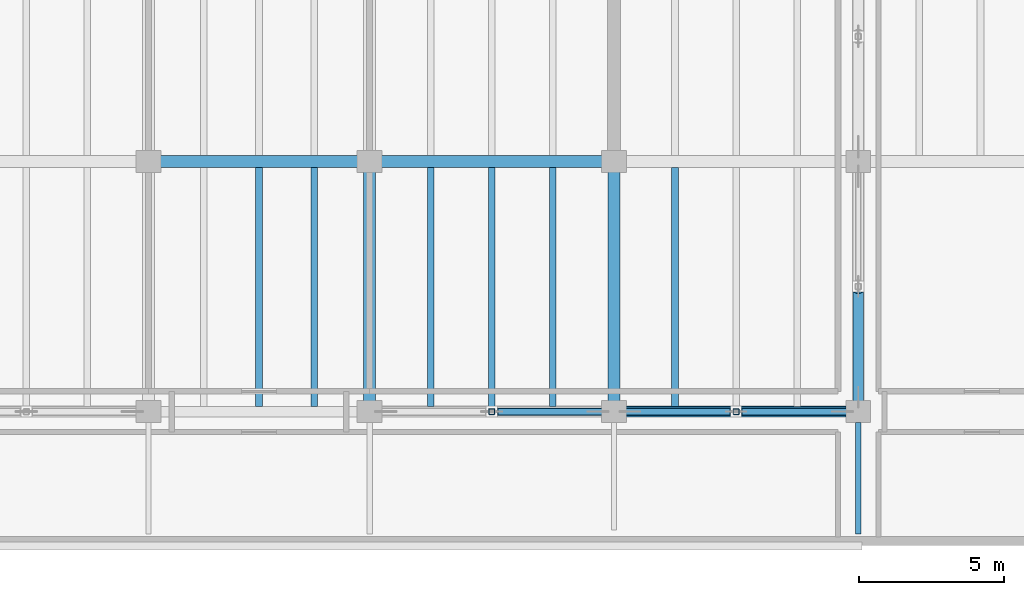
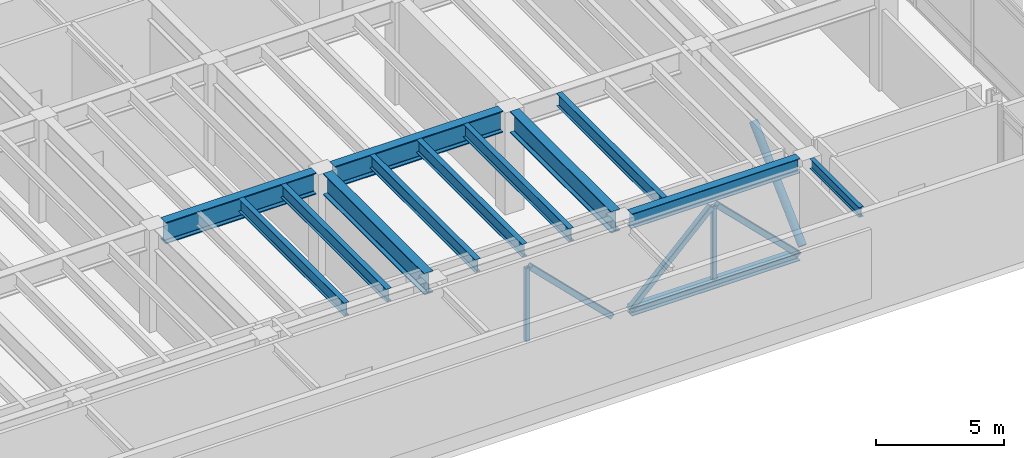
# One storey, part 6 of 23: 13 beams, 6 members.
"""IFC4 building model written with IfcOpenShell, lengths in metres."""

from ifc_helpers import new_model, si_unit, direction, frame, origin, origin_2d, place, context, subcontext, project, spatial, hollow_rectangle, hollow_circle, i_section, extrude, material, material_profile, profile_set, type_object, element, save


model = new_model("IFC4")

# Units and contexts
model_context = context("Model", 3, precision=1e-05, world=origin(), true_north=direction((0.0, 1.0)))
body_context = subcontext(model_context, "Body", "Model", "MODEL_VIEW")
ifc_project = project(units=[si_unit("LENGTHUNIT", "METRE"), si_unit("AREAUNIT", "SQUARE_METRE"), si_unit("VOLUMEUNIT", "CUBIC_METRE"), si_unit("PLANEANGLEUNIT", "RADIAN"), si_unit("MASSUNIT", "GRAM", prefix="KILO")], contexts=[model_context])

# Site, building, storey
site_placement = place(None, origin())
site = spatial("IfcSite", under=ifc_project, at=site_placement, CompositionType="ELEMENT")
building_placement = place(site_placement, origin())
building = spatial("IfcBuilding", under=site, at=building_placement, Name="Caelmar Bay Residences", CompositionType="ELEMENT")
storey_placement = place(building_placement, frame((0.0, 0.0, 221.39990234375)))
storey = spatial("IfcBuildingStorey", under=building, at=storey_placement, Name="L62", CompositionType="ELEMENT", Elevation=221.39990234375)

# Beams
ifc_material_1 = material(Name="Steel ASTM A992 Grade 50", Category="steel")
ifc_material_profile_1 = material_profile(ifc_material_1, i_section(OverallWidth=0.193115234375, OverallDepth=0.467041015625, WebThickness=0.011474609375, FlangeThickness=0.01904296875, FilletRadius=0.01025390625, at=origin_2d()), Name="W18X65")
ifc_profile_set_1 = profile_set([ifc_material_profile_1], Name="Steel ASTM A992 Grade 50")
beam_type_1 = type_object("IfcBeamType", Name="BM-BAL-W18X65", PredefinedType="BEAM", material=ifc_profile_set_1)
beam_1_placement = place(storey_placement, frame((59.5, 11.8349609375, 4.606689453125), z_axis=(0.0, -1.0, 0.0), x_axis=(1.0, 0.0, 0.0)))
element("IfcBeam", 1, at=beam_1_placement, inside=storey, type_object=beam_type_1, Name="L63 South Balcony Cantilever Bracket 6", PredefinedType="BEAM", context=body_context, shape_type="SweptSolid", body=[
    extrude(i_section(OverallWidth=0.193115234375, OverallDepth=0.467041015625, WebThickness=0.011474609375, FlangeThickness=0.01904296875, FilletRadius=0.01025390625, at=origin_2d()), origin(), (0.0, 0.0, 1.0), 3.849853515625),
])
ifc_material_profile_2 = material_profile(ifc_material_1, i_section(OverallWidth=0.373046875, OverallDepth=0.373046875, WebThickness=0.016357421875, FlangeThickness=0.026123046875, FilletRadius=0.01513671875, at=origin_2d()), Name="W14X132")
ifc_profile_set_2 = profile_set([ifc_material_profile_2], Name="Steel ASTM A992 Grade 50")
beam_type_2 = type_object("IfcBeamType", Name="BM-CHD-W14X132", PredefinedType="BEAM", material=ifc_profile_set_2)
beam_2_placement = place(storey_placement, frame((51.514892578125, 12.199951171875, 0.1865234375), z_axis=(1.0, 0.0, 0.0), x_axis=(0.0, 1.0, 0.0)))
element("IfcBeam", 2, at=beam_2_placement, inside=storey, type_object=beam_type_2, Name="L62 Belt-Truss Bottom Chord 4", PredefinedType="BEAM", context=body_context, shape_type="SweptSolid", body=[
    extrude(i_section(OverallWidth=0.373046875, OverallDepth=0.373046875, WebThickness=0.016357421875, FlangeThickness=0.026123046875, FilletRadius=0.01513671875, at=origin_2d()), origin(), (0.0, 0.0, 1.0), 7.570068359375),
])
ifc_material_profile_3 = material_profile(ifc_material_1, i_section(OverallWidth=0.404052734375, OverallDepth=1.02099609375, WebThickness=0.025390625, FlangeThickness=0.0458984375, FilletRadius=0.02294921875, at=origin_2d()), Name="W40X324")
ifc_profile_set_3 = profile_set([ifc_material_profile_3], Name="Steel ASTM A992 Grade 50")
beam_type_3 = type_object("IfcBeamType", Name="BM-GRD-W40X324", PredefinedType="BEAM", material=ifc_profile_set_3)
beam_3_placement = place(storey_placement, frame((35.514892578125, 20.800048828125, 4.339599609375), z_axis=(1.0, 0.0, 0.0), x_axis=(0.0, 1.0, 0.0)))
element("IfcBeam", 3, at=beam_3_placement, inside=storey, type_object=beam_type_3, Name="L62 East-West Girder Y=20.80 (35.1-42.7)", PredefinedType="BEAM", context=body_context, shape_type="SweptSolid", body=[
    extrude(i_section(OverallWidth=0.404052734375, OverallDepth=1.02099609375, WebThickness=0.025390625, FlangeThickness=0.0458984375, FilletRadius=0.02294921875, at=origin_2d()), origin(), (0.0, 0.0, 1.0), 6.77001953125),
])
beam_4_placement = place(storey_placement, frame((43.114990234375, 20.800048828125, 4.339599609375), z_axis=(1.0, 0.0, 0.0), x_axis=(0.0, 1.0, 0.0)))
element("IfcBeam", 4, at=beam_4_placement, inside=storey, type_object=beam_type_3, Name="L62 East-West Girder Y=20.80 (42.7-51.1)", PredefinedType="BEAM", context=body_context, shape_type="SweptSolid", body=[
    extrude(i_section(OverallWidth=0.404052734375, OverallDepth=1.02099609375, WebThickness=0.025390625, FlangeThickness=0.0458984375, FilletRadius=0.02294921875, at=origin_2d()), origin(), (0.0, 0.0, 1.0), 7.570068359375),
])
for number, where, z_axis, x_axis, name in (
    (5, (42.699951171875, 12.56494140625, 4.339599609375), (0.0, 1.0, 0.0), (-1.0, 0.0, 0.0), "L62 North-South Girder X=42.70 (12.2-20.8)"),
    (6, (51.10009765625, 12.56494140625, 4.339599609375), (0.0, 1.0, 0.0), (-1.0, 0.0, 0.0), "L62 North-South Girder X=51.10 (12.2-20.8)"),
):
    element("IfcBeam", number, at=place(storey_placement, frame(where, z_axis=z_axis, x_axis=x_axis)), inside=storey, type_object=beam_type_3, Name=name, PredefinedType="BEAM", context=body_context, shape_type="SweptSolid", body=[
        extrude(i_section(OverallWidth=0.404052734375, OverallDepth=1.02099609375, WebThickness=0.025390625, FlangeThickness=0.0458984375, FilletRadius=0.02294921875, at=origin_2d()), origin(), (0.0, 0.0, 1.0), 7.8701171875),
    ])
ifc_material_profile_4 = material_profile(ifc_material_1, i_section(OverallWidth=0.22900390625, OverallDepth=0.612060546875, WebThickness=0.011962890625, FlangeThickness=0.01953125, FilletRadius=0.0126953125, at=origin_2d()), Name="W24X84")
ifc_profile_set_4 = profile_set([ifc_material_profile_4], Name="Steel ASTM A992 Grade 50")
beam_type_4 = type_object("IfcBeamType", Name="BM-JST-W24X84", PredefinedType="JOIST", material=ifc_profile_set_4)
for number, where, z_axis, x_axis, name in (
    (7, (38.89990234375, 12.3779296875, 4.544189453125), (0.0, 1.0, 0.0), (-1.0, 0.0, 0.0), "L62 Composite Floor Joist 8"),
    (8, (40.800048828125, 12.3779296875, 4.544189453125), (0.0, 1.0, 0.0), (-1.0, 0.0, 0.0), "L62 Composite Floor Joist 9"),
    (9, (44.800048828125, 12.3779296875, 4.544189453125), (0.0, 1.0, 0.0), (-1.0, 0.0, 0.0), "L62 Composite Floor Joist 10"),
    (10, (46.89990234375, 12.3779296875, 4.544189453125), (0.0, 1.0, 0.0), (-1.0, 0.0, 0.0), "L62 Composite Floor Joist 11"),
    (11, (49.0, 12.3779296875, 4.544189453125), (0.0, 1.0, 0.0), (-1.0, 0.0, 0.0), "L62 Composite Floor Joist 12"),
    (12, (53.199951171875, 12.3779296875, 4.544189453125), (0.0, 1.0, 0.0), (-1.0, 0.0, 0.0), "L62 Composite Floor Joist 13"),
):
    element("IfcBeam", number, at=place(storey_placement, frame(where, z_axis=z_axis, x_axis=x_axis)), inside=storey, type_object=beam_type_4, Name=name, PredefinedType="JOIST", context=body_context, shape_type="SweptSolid", body=[
        extrude(i_section(OverallWidth=0.22900390625, OverallDepth=0.612060546875, WebThickness=0.011962890625, FlangeThickness=0.01953125, FilletRadius=0.0126953125, at=origin_2d()), origin(), (0.0, 0.0, 1.0), 8.219970703125),
    ])
ifc_material_profile_5 = material_profile(ifc_material_1, i_section(OverallWidth=0.35595703125, OverallDepth=0.696044921875, WebThickness=0.015380859375, FlangeThickness=0.02490234375, FilletRadius=0.01513671875, at=origin_2d()), Name="W27X146")
ifc_profile_set_5 = profile_set([ifc_material_profile_5], Name="Steel ASTM A992 Grade 50")
beam_type_5 = type_object("IfcBeamType", Name="BM-SPN-W27X146", PredefinedType="SPANDREL", material=ifc_profile_set_5)
beam_5_placement = place(storey_placement, frame((51.514892578125, 12.199951171875, 4.502197265625), z_axis=(1.0, 0.0, 0.0), x_axis=(0.0, 1.0, 0.0)))
element("IfcBeam", 13, at=beam_5_placement, inside=storey, type_object=beam_type_5, Name="L62 East-West Girder Y=12.20 (51.1-59.5)", PredefinedType="SPANDREL", context=body_context, shape_type="SweptSolid", body=[
    extrude(i_section(OverallWidth=0.35595703125, OverallDepth=0.696044921875, WebThickness=0.015380859375, FlangeThickness=0.02490234375, FilletRadius=0.01513671875, at=origin_2d()), origin(), (0.0, 0.0, 1.0), 7.570068359375),
])

# Members
ifc_material_2 = material(Name="Steel ASTM A500 Grade C", Category="steel")
ifc_material_profile_6 = material_profile(ifc_material_2, hollow_rectangle(XDim=0.25390625, YDim=0.25390625, WallThickness=0.014892578125, InnerFilletRadius=0.014892578125, OuterFilletRadius=0.029541015625, at=origin_2d()), Name="HSS250X250X15.9")
ifc_profile_set_6 = profile_set([ifc_material_profile_6], Name="Steel ASTM A500 Grade C")
member_type_1 = type_object("IfcMemberType", Name="MEM-BRC-HSS250", PredefinedType="BRACE", material=ifc_profile_set_6)
for number, where, z_axis, x_axis, name in (
    (14, (50.68505859375, 12.199951171875, 0.22021484375), (-0.711098102915, 0.0, 0.703092801863), (0.0, -1.0, 0.0), "L62 Belt-Truss Chevron 3B"),
    (15, (51.514892578125, 12.199951171875, 0.22021484375), (0.711098102915, 0.0, 0.703092801863), (0.0, 1.0, 0.0), "L62 Belt-Truss Chevron 4A"),
    (16, (59.0849609375, 12.199951171875, 0.22021484375), (-0.711098102915, 0.0, 0.703092801863), (0.0, -1.0, 0.0), "L62 Belt-Truss Chevron 4B"),
):
    element("IfcMember", number, at=place(storey_placement, frame(where, z_axis=z_axis, x_axis=x_axis)), inside=storey, type_object=member_type_1, Name=name, PredefinedType="BRACE", context=body_context, shape_type="SweptSolid", body=[
        extrude(hollow_rectangle(XDim=0.25390625, YDim=0.25390625, WallThickness=0.014892578125, InnerFilletRadius=0.014892578125, OuterFilletRadius=0.029541015625, at=origin_2d()), origin(), (0.0, 0.0, 1.0), 5.154052734375),
    ])
ifc_material_profile_7 = material_profile(ifc_material_2, hollow_circle(Radius=0.177978515625, WallThickness=0.017578125, at=origin_2d()), Name="CHS356X19.1")
ifc_profile_set_7 = profile_set([ifc_material_profile_7], Name="Steel ASTM A500 Grade C")
member_type_2 = type_object("IfcMemberType", Name="MEM-OUT-CHS356", PredefinedType="BRACE", material=ifc_profile_set_7)
member_placement = place(storey_placement, frame((59.5, 12.56494140625, 0.22021484375), z_axis=(0.0, 0.725038820171, 0.688707999987), x_axis=(-1.0, 0.0, 0.0)))
element("IfcMember", 17, at=member_placement, inside=storey, type_object=member_type_2, Name="L62 Outrigger Diagonal 3A", PredefinedType="BRACE", context=body_context, shape_type="SweptSolid", body=[
    extrude(hollow_circle(Radius=0.177978515625, WallThickness=0.017578125, at=origin_2d()), origin(), (0.0, 0.0, 1.0), 5.26171875),
])
ifc_material_profile_8 = material_profile(ifc_material_2, hollow_rectangle(XDim=0.202880859375, YDim=0.202880859375, WallThickness=0.01171875, InnerFilletRadius=0.01171875, OuterFilletRadius=0.023681640625, at=origin_2d()), Name="HSS200X200X12.7")
ifc_profile_set_8 = profile_set([ifc_material_profile_8], Name="Steel ASTM A500 Grade C")
member_type_3 = type_object("IfcMemberType", Name="MEM-PST-HSS200", PredefinedType="POST", material=ifc_profile_set_8)
for number, where, z_axis, x_axis, name in (
    (18, (46.89990234375, 12.199951171875, 0.373046875), (0.0, 0.0, 1.0), (1.0, 0.0, 0.0), "L62 Belt-Truss Vertical Post 3"),
    (19, (55.300048828125, 12.199951171875, 0.373046875), (0.0, 0.0, 1.0), (1.0, 0.0, 0.0), "L62 Belt-Truss Vertical Post 4"),
):
    element("IfcMember", number, at=place(storey_placement, frame(where, z_axis=z_axis, x_axis=x_axis)), inside=storey, type_object=member_type_3, Name=name, PredefinedType="POST", context=body_context, shape_type="SweptSolid", body=[
        extrude(hollow_rectangle(XDim=0.202880859375, YDim=0.202880859375, WallThickness=0.01171875, InnerFilletRadius=0.01171875, OuterFilletRadius=0.023681640625, at=origin_2d()), origin(), (0.0, 0.0, 1.0), 3.470947265625),
    ])

save(model, "model.ifc")
